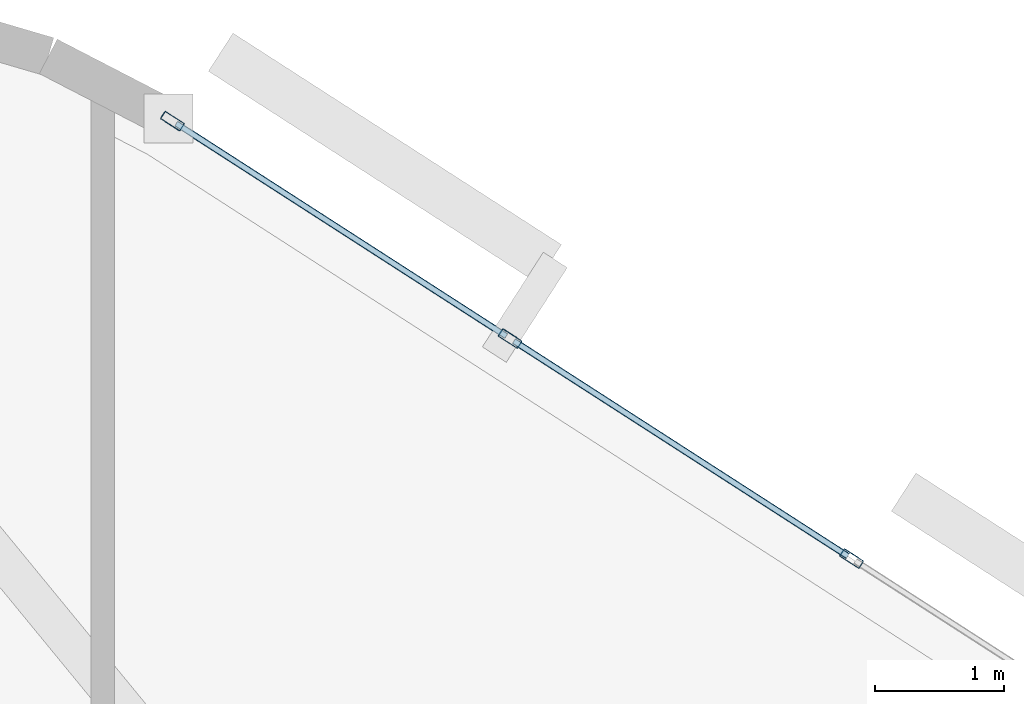
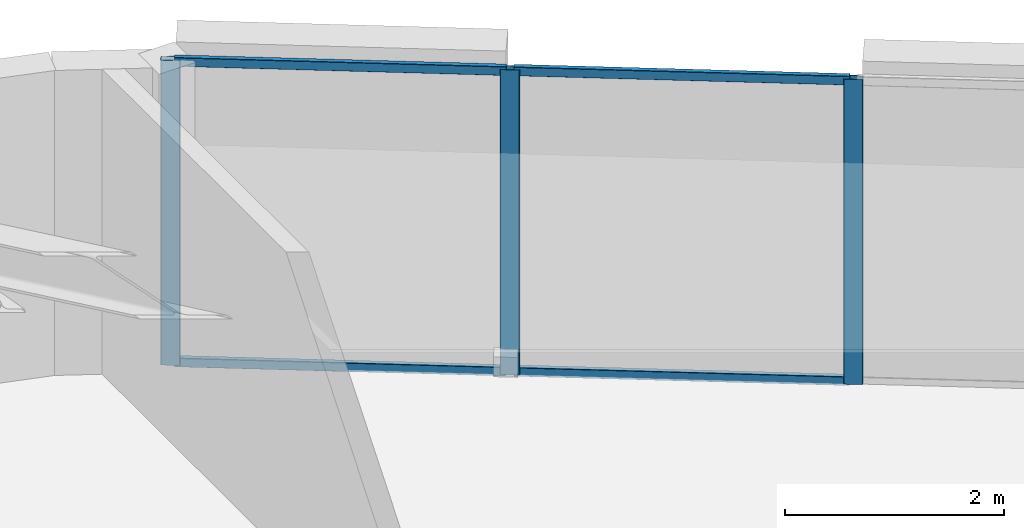
# One storey, part 9 of 16: 7 members, 1 element without a shape of its own.
"""IFC4 building model written with IfcOpenShell, lengths in metres."""

from ifc_helpers import new_model, si_unit, direction, frame, origin, origin_2d, place, context, subcontext, project, spatial, hollow_rectangle, extrude, material, layer, layer_set, material_profile, profile_set, type_object, element, aggregate, save


model = new_model("IFC4")

# Units and contexts
model_context = context("Model", 3, precision=1e-05, world=origin(), true_north=direction((0.0, 1.0)))
body_context = subcontext(model_context, "Body", "Model", "MODEL_VIEW")
ifc_project = project(units=[si_unit("LENGTHUNIT", "METRE"), si_unit("AREAUNIT", "SQUARE_METRE"), si_unit("VOLUMEUNIT", "CUBIC_METRE"), si_unit("PLANEANGLEUNIT", "RADIAN"), si_unit("MASSUNIT", "GRAM", prefix="KILO")], contexts=[model_context])

# Site, building, storey
site_placement = place(None, origin())
site = spatial("IfcSite", under=ifc_project, at=site_placement, CompositionType="ELEMENT")
building_placement = place(site_placement, origin())
building = spatial("IfcBuilding", under=site, at=building_placement, Name="An Khanh Terracotta Commons", CompositionType="ELEMENT")
storey_placement = place(building_placement, frame((0.0, 0.0, 172.60009765625)))
storey = spatial("IfcBuildingStorey", under=building, at=storey_placement, Name="L45", CompositionType="ELEMENT", Elevation=172.60009765625)

# Curtain wall, members
ifc_material = material(Name="Anodised Aluminium 6063-T6", Category="aluminium")
ifc_layer = layer(ifc_material, 0.2099609375, Name="Anodised Aluminium 6063-T6")
ifc_layer_set = layer_set([ifc_layer], Name="Anodised Aluminium 6063-T6")
curtain_wall_type = type_object("IfcCurtainWallType", Name="CW-SYS-03", PredefinedType="USERDEFINED", material=ifc_layer_set)
curtain_wall_placement = place(storey_placement, origin())
curtain_wall = element("IfcCurtainWall", 1, at=curtain_wall_placement, inside=storey, type_object=curtain_wall_type, Name="L45 CW-03 Unitised Curtain Wall CW-L45-16", ObjectType="UNITISED CURTAIN WALL", PredefinedType="USERDEFINED")
ifc_material_profile_1 = material_profile(ifc_material, hollow_rectangle(XDim=0.070068359375, YDim=0.179931640625, WallThickness=0.00390625, InnerFilletRadius=0.00390625, OuterFilletRadius=0.008056640625, at=origin_2d()), Name="RHS180x70x4")
ifc_profile_set_1 = profile_set([ifc_material_profile_1], Name="Anodised Aluminium 6063-T6")
member_type_1 = type_object("IfcMemberType", Name="CWM-RHS180x70x4", PredefinedType="MULLION", material=ifc_profile_set_1)
member_1_placement = place(storey_placement, frame((57.838623046875, 37.52392578125, 0.0), z_axis=(0.0, 0.0, 1.0), x_axis=(-0.541497931062, -0.840702081986, 0.0)))
member_1 = element("IfcMember", 2, at=member_1_placement, type_object=member_type_1, Name="CW-03 mullion 2", PredefinedType="MULLION", context=body_context, shape_type="SweptSolid", body=[
    extrude(hollow_rectangle(XDim=0.070068359375, YDim=0.179931640625, WallThickness=0.00390625, InnerFilletRadius=0.00390625, OuterFilletRadius=0.008056640625, at=origin_2d()), origin(), (0.0, 0.0, 1.0), 3.39990234375),
])
member_2_placement = place(storey_placement, frame((55.19921875, 39.22412109375, 0.0), z_axis=(0.0, 0.0, 1.0), x_axis=(-0.541497931062, -0.840702081986, 0.0)))
member_2 = element("IfcMember", 3, at=member_2_placement, type_object=member_type_1, Name="CW-03 mullion 3", PredefinedType="MULLION", context=body_context, shape_type="SweptSolid", body=[
    extrude(hollow_rectangle(XDim=0.070068359375, YDim=0.179931640625, WallThickness=0.00390625, InnerFilletRadius=0.00390625, OuterFilletRadius=0.008056640625, at=origin_2d()), origin(), (0.0, 0.0, 1.0), 3.39990234375),
])
member_3_placement = place(storey_placement, frame((52.58935546875, 40.905029296875, 0.0), z_axis=(0.0, 0.0, 1.0), x_axis=(-0.541497931062, -0.840702081986, 0.0)))
member_3 = element("IfcMember", 4, at=member_3_placement, type_object=member_type_1, Name="CW-03 mullion 4", PredefinedType="MULLION", context=body_context, shape_type="SweptSolid", body=[
    extrude(hollow_rectangle(XDim=0.070068359375, YDim=0.179931640625, WallThickness=0.00390625, InnerFilletRadius=0.00390625, OuterFilletRadius=0.008056640625, at=origin_2d()), origin(), (0.0, 0.0, 1.0), 3.39990234375),
])
ifc_material_profile_2 = material_profile(ifc_material, hollow_rectangle(XDim=0.050048828125, YDim=0.10009765625, WallThickness=0.003173828125, InnerFilletRadius=0.003173828125, OuterFilletRadius=0.00634765625, at=origin_2d()), Name="RHS100x50x3.2")
ifc_profile_set_2 = profile_set([ifc_material_profile_2], Name="Anodised Aluminium 6063-T6")
member_type_2 = type_object("IfcMemberType", Name="CWT-RHS100x50x3.2", PredefinedType="USERDEFINED", material=ifc_profile_set_2)
member_4_placement = place(storey_placement, frame((57.809326171875, 37.54296875, 0.02490234375), z_axis=(-0.840707825526, 0.54148901383, 0.0), x_axis=(-0.54148901383, -0.840707825526, 0.0)))
member_4 = element("IfcMember", 5, at=member_4_placement, type_object=member_type_2, Name="CW-03 transom 2.1", ObjectType="TRANSOM", PredefinedType="USERDEFINED", context=body_context, shape_type="SweptSolid", body=[
    extrude(hollow_rectangle(XDim=0.050048828125, YDim=0.10009765625, WallThickness=0.003173828125, InnerFilletRadius=0.003173828125, OuterFilletRadius=0.00634765625, at=origin_2d()), origin(), (0.0, 0.0, 1.0), 3.069580078125),
])
member_5_placement = place(storey_placement, frame((57.809326171875, 37.54296875, 3.375), z_axis=(-0.840707825526, 0.54148901383, 0.0), x_axis=(-0.54148901383, -0.840707825526, 0.0)))
member_5 = element("IfcMember", 6, at=member_5_placement, type_object=member_type_2, Name="CW-03 transom 2.2", ObjectType="TRANSOM", PredefinedType="USERDEFINED", context=body_context, shape_type="SweptSolid", body=[
    extrude(hollow_rectangle(XDim=0.050048828125, YDim=0.10009765625, WallThickness=0.003173828125, InnerFilletRadius=0.003173828125, OuterFilletRadius=0.00634765625, at=origin_2d()), origin(), (0.0, 0.0, 1.0), 3.069580078125),
])
member_6_placement = place(storey_placement, frame((55.169921875, 39.242919921875, 0.02490234375), z_axis=(-0.840710223453, 0.541485290826, 0.0), x_axis=(-0.541485290826, -0.840710223453, 0.0)))
member_6 = element("IfcMember", 7, at=member_6_placement, type_object=member_type_2, Name="CW-03 transom 3.1", ObjectType="TRANSOM", PredefinedType="USERDEFINED", context=body_context, shape_type="SweptSolid", body=[
    extrude(hollow_rectangle(XDim=0.050048828125, YDim=0.10009765625, WallThickness=0.003173828125, InnerFilletRadius=0.003173828125, OuterFilletRadius=0.00634765625, at=origin_2d()), origin(), (0.0, 0.0, 1.0), 3.034423828125),
])
member_7_placement = place(storey_placement, frame((55.169921875, 39.242919921875, 3.375), z_axis=(-0.840710223453, 0.541485290826, 0.0), x_axis=(-0.541485290826, -0.840710223453, 0.0)))
member_7 = element("IfcMember", 8, at=member_7_placement, type_object=member_type_2, Name="CW-03 transom 3.2", ObjectType="TRANSOM", PredefinedType="USERDEFINED", context=body_context, shape_type="SweptSolid", body=[
    extrude(hollow_rectangle(XDim=0.050048828125, YDim=0.10009765625, WallThickness=0.003173828125, InnerFilletRadius=0.003173828125, OuterFilletRadius=0.00634765625, at=origin_2d()), origin(), (0.0, 0.0, 1.0), 3.034423828125),
])
aggregate(curtain_wall, [member_1, member_2, member_3, member_4, member_5, member_6, member_7])

save(model, "model.ifc")
